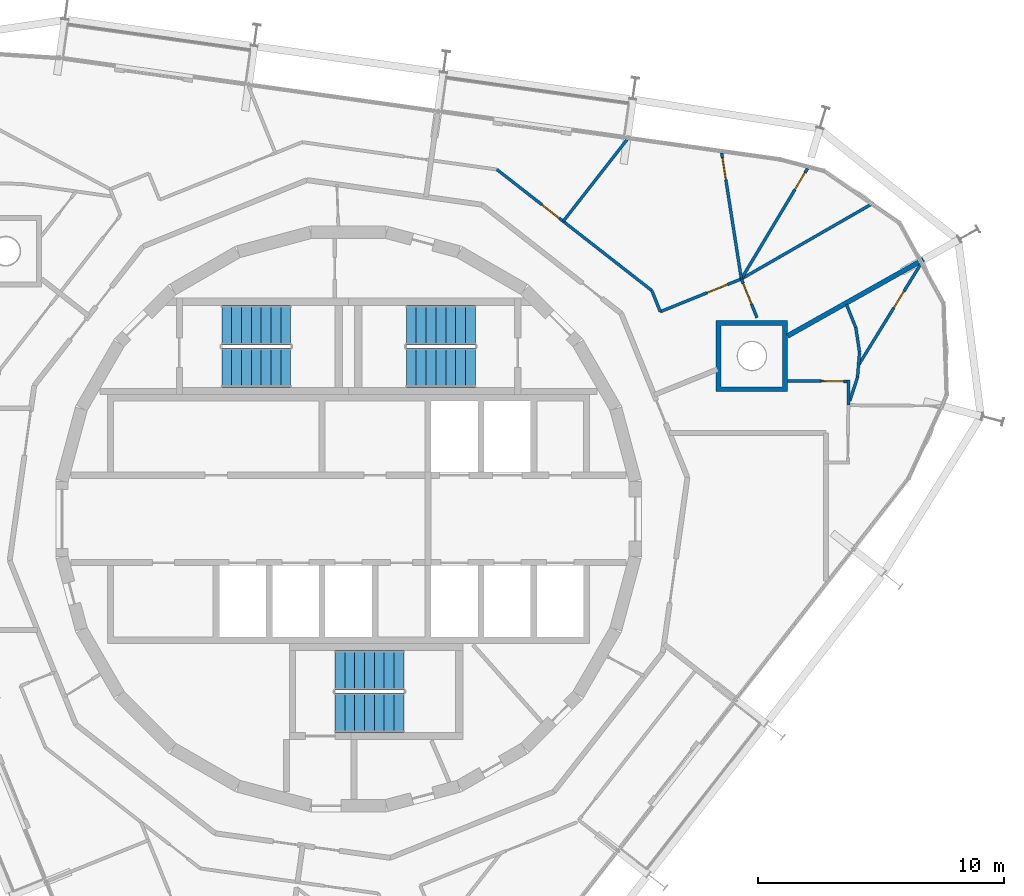
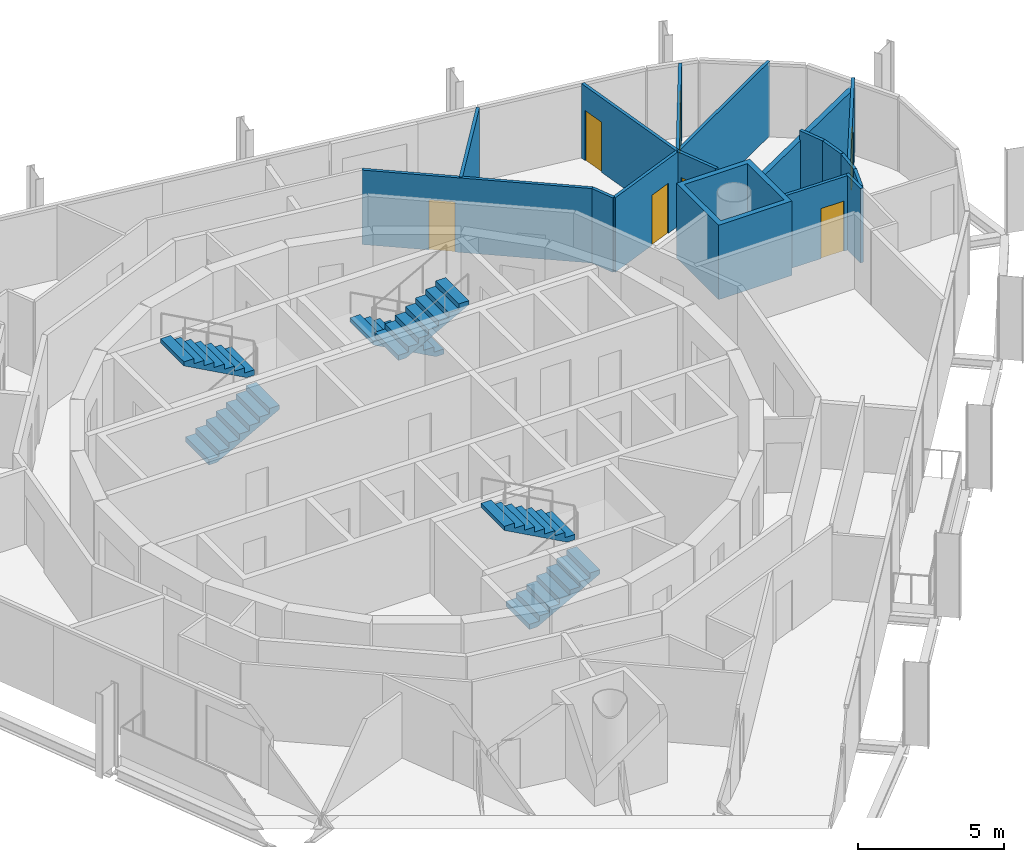
# One storey, part 14 of 15: 17 walls, 7 doors, 6 stair flights, 7 openings, 3 elements without a shape of their own.
"""IFC4 building model written with IfcOpenShell, lengths in metres."""

from ifc_helpers import new_model, si_unit, direction, frame, frame_2d, origin, place, context, subcontext, project, spatial, polyline, rectangle, outline, extrude, material, layer, layer_set, type_object, element, fill, aggregate, save


model = new_model("IFC4")

# Units and contexts
model_context = context("Model", 3, precision=1e-05, world=origin(), true_north=direction((0.0, 1.0)))
body_context = subcontext(model_context, "Body", "Model", "MODEL_VIEW")
ifc_project = project(units=[si_unit("LENGTHUNIT", "METRE"), si_unit("AREAUNIT", "SQUARE_METRE"), si_unit("VOLUMEUNIT", "CUBIC_METRE"), si_unit("PLANEANGLEUNIT", "RADIAN"), si_unit("MASSUNIT", "GRAM", prefix="KILO")], contexts=[model_context])

# Site, building, storey
site_placement = place(None, origin())
site = spatial("IfcSite", under=ifc_project, at=site_placement, CompositionType="ELEMENT")
building_placement = place(site_placement, origin())
building = spatial("IfcBuilding", under=site, at=building_placement, Name="Spindle Arch Residences", CompositionType="ELEMENT")
storey_placement = place(building_placement, frame((0.0, 0.0, 350.5)))
storey = spatial("IfcBuildingStorey", under=building, at=storey_placement, Name="L90", CompositionType="ELEMENT", Elevation=350.5)

# Wall
ifc_material_1 = material(Name="Plasterboard on steel studs", Category="steel")
ifc_layer_1 = layer(ifc_material_1, 0.1201171875)
ifc_layer_set_1 = layer_set([ifc_layer_1], Name="Flat partition 120")
wall_type_1 = type_object("IfcWallType", Name="Flat partition 120", PredefinedType="PARTITIONING", material=ifc_layer_set_1)
wall_1_placement = place(storey_placement, frame((20.30615234375, 4.638671875, 0.0), z_axis=(0.0, 0.0, 1.0), x_axis=(0.008906724211, 0.999960334345, 0.0)))
element("IfcWall", 1, at=wall_1_placement, inside=storey, type_object=wall_type_1, Name="Flat partition R9B1-W032", PredefinedType="PARTITIONING", context=body_context, shape_type="SweptSolid", body=[
    extrude(rectangle(XDim=1.01416015625, YDim=0.1201171875, at=frame_2d((0.507080078125, 0.0))), origin(), (0.0, 0.0, 1.0), 3.1201171875),
])

# Wall, opening, door
wall_2_placement = place(storey_placement, frame((20.314697265625, 5.593017578125, 0.0), z_axis=(0.0, 0.0, 1.0), x_axis=(-0.999960597409, 0.008877140833, 0.0)))
wall_2 = element("IfcWall", 2, at=wall_2_placement, inside=storey, type_object=wall_type_1, Name="Flat partition R9B1-W033", PredefinedType="PARTITIONING", context=body_context, shape_type="SweptSolid", body=[
    extrude(rectangle(XDim=2.47509765625, YDim=0.1201171875, at=frame_2d((1.237548828125, 0.0))), origin(), (0.0, 0.0, 1.0), 3.1201171875),
])
opening_1_placement = place(wall_2_placement, frame((0.199951171875, 0.0, 0.0)))
opening_1 = element("IfcOpeningElement", 3, at=opening_1_placement, cuts=wall_2, Name="Opening R9B1-ID02", PredefinedType="OPENING", context=body_context, shape_type="SweptSolid", body=[
    extrude(rectangle(XDim=0.89990234375, YDim=2.10009765625, at=frame_2d((0.449951171875, 1.050048828125))), frame((0.0, 0.070068359375, 0.0), z_axis=(0.0, -1.0, 0.0), x_axis=(1.0, 0.0, 0.0)), (0.0, 0.0, 1.0), 0.14013671875),
])
ifc_material_2 = material(Name="Timber door set", Category="wood")
door_type_1 = type_object("IfcDoorType", Name="Room door 900x2100", OperationType="NOTDEFINED", PredefinedType="DOOR", material=ifc_material_2)
door_1_placement = place(opening_1_placement, origin())
door_1 = element("IfcDoor", 4, at=door_1_placement, inside=storey, type_object=door_type_1, Name="Room door R9B1-ID02", OperationType="SINGLE_SWING_RIGHT", OverallHeight=2.10009765625, OverallWidth=0.89990234375, PredefinedType="DOOR", context=body_context, shape_type="SweptSolid", body=[
    extrude(rectangle(XDim=0.89990234375, YDim=2.10009765625, at=frame_2d((0.449951171875, 1.050048828125))), frame((0.0, 0.02490234375, 0.0), z_axis=(0.0, -1.0, 0.0), x_axis=(1.0, 0.0, 0.0)), (0.0, 0.0, 1.0), 0.050048828125),
])
fill(opening_1, door_1)

# Walls
wall_3_placement = place(storey_placement, frame((20.762451171875, 6.774658203125, 0.0), z_axis=(0.0, 0.0, 1.0), x_axis=(-0.08121587, -0.996696534789, 0.0)))
element("IfcWall", 5, at=wall_3_placement, inside=storey, type_object=wall_type_1, Name="Flat partition R9B1-W035", PredefinedType="PARTITIONING", context=body_context, shape_type="SweptSolid", body=[
    extrude(rectangle(XDim=1.01611328125, YDim=0.1201171875, at=frame_2d((0.508056640625, 0.0))), origin(), (0.0, 0.0, 1.0), 3.1201171875),
])
wall_4_placement = place(storey_placement, frame((20.679931640625, 5.761962890625, 0.0), z_axis=(0.0, 0.0, 1.0), x_axis=(-0.30908063779, -0.951035834942, 0.0)))
element("IfcWall", 6, at=wall_4_placement, inside=storey, type_object=wall_type_1, Name="Flat partition R9B1-W036", PredefinedType="PARTITIONING", context=body_context, shape_type="SweptSolid", body=[
    extrude(rectangle(XDim=1.015869140625, YDim=0.1201171875, at=frame_2d((0.5078125, 0.0))), origin(), (0.0, 0.0, 1.0), 3.1201171875),
])

# Wall, opening, door
wall_5_placement = place(storey_placement, frame((23.357421875, 10.532470703125, 0.0), z_axis=(0.0, 0.0, 1.0), x_axis=(-0.524476563806, -0.851424884542, 0.0)))
wall_5 = element("IfcWall", 7, at=wall_5_placement, inside=storey, type_object=wall_type_1, Name="Flat partition R9B1-W037", PredefinedType="PARTITIONING", context=body_context, shape_type="SweptSolid", body=[
    extrude(rectangle(XDim=5.029296875, YDim=0.1201171875, at=frame_2d((2.5146484375, 0.0))), origin(), (0.0, 0.0, 1.0), 3.1201171875),
])
opening_2_placement = place(wall_5_placement, frame((1.5, 0.0, 0.0)))
opening_2 = element("IfcOpeningElement", 8, at=opening_2_placement, cuts=wall_5, Name="Opening R9B1-BD01", PredefinedType="OPENING", context=body_context, shape_type="SweptSolid", body=[
    extrude(rectangle(XDim=0.800048828125, YDim=2.10009765625, at=frame_2d((0.39990234375, 1.050048828125))), frame((0.0, 0.070068359375, 0.0), z_axis=(0.0, -1.0, 0.0), x_axis=(1.0, 0.0, 0.0)), (0.0, 0.0, 1.0), 0.14013671875),
])
ifc_material_3 = material(Name="Timber door set", Category="wood")
door_type_2 = type_object("IfcDoorType", Name="Bathroom door 800x2100", OperationType="NOTDEFINED", PredefinedType="DOOR", material=ifc_material_3)
door_2_placement = place(opening_2_placement, origin())
door_2 = element("IfcDoor", 9, at=door_2_placement, inside=storey, type_object=door_type_2, Name="Bathroom door R9B1-BD01", OperationType="SINGLE_SWING_RIGHT", OverallHeight=2.10009765625, OverallWidth=0.800048828125, PredefinedType="DOOR", context=body_context, shape_type="SweptSolid", body=[
    extrude(rectangle(XDim=0.800048828125, YDim=2.10009765625, at=frame_2d((0.39990234375, 1.050048828125))), frame((0.0, 0.02490234375, 0.0), z_axis=(0.0, -1.0, 0.0), x_axis=(1.0, 0.0, 0.0)), (0.0, 0.0, 1.0), 0.050048828125),
])
fill(opening_2, door_2)

# Walls
wall_6_placement = place(storey_placement, frame((20.762451171875, 6.774658203125, 0.0), z_axis=(0.0, 0.0, 1.0), x_axis=(-0.150702440861, 0.988579169474, 0.0)))
element("IfcWall", 10, at=wall_6_placement, inside=storey, type_object=wall_type_1, Name="Flat partition R9B1-W038", PredefinedType="PARTITIONING", context=body_context, shape_type="SweptSolid", body=[
    extrude(rectangle(XDim=1.015869140625, YDim=0.1201171875, at=frame_2d((0.5078125, 0.0))), origin(), (0.0, 0.0, 1.0), 3.1201171875),
])
wall_7_placement = place(storey_placement, frame((20.609375, 7.77880859375, 0.0), z_axis=(0.0, 0.0, 1.0), x_axis=(-0.374371668856, 0.927278735633, 0.0)))
element("IfcWall", 11, at=wall_7_placement, inside=storey, type_object=wall_type_1, Name="Flat partition R9B1-W039", PredefinedType="PARTITIONING", context=body_context, shape_type="SweptSolid", body=[
    extrude(rectangle(XDim=1.01611328125, YDim=0.1201171875, at=frame_2d((0.508056640625, 0.0))), origin(), (0.0, 0.0, 1.0), 3.1201171875),
])

# Wall, opening, door
wall_8_placement = place(storey_placement, frame((16.59716796875, 8.177001953125, 0.0), z_axis=(0.0, 0.0, 1.0), x_axis=(-0.374631609957, 0.927173746835, 0.0)))
wall_8 = element("IfcWall", 12, at=wall_8_placement, inside=storey, type_object=wall_type_1, Name="Flat partition R9B1-W040", PredefinedType="PARTITIONING", context=body_context, shape_type="SweptSolid", body=[
    extrude(rectangle(XDim=1.7001953125, YDim=0.1201171875, at=frame_2d((0.85009765625, 0.0))), origin(), (0.0, 0.0, 1.0), 3.1201171875),
])
opening_3_placement = place(wall_8_placement, frame((0.60009765625, 0.0, 0.0)))
opening_3 = element("IfcOpeningElement", 13, at=opening_3_placement, cuts=wall_8, Name="Opening R9B1-ID04", PredefinedType="OPENING", context=body_context, shape_type="SweptSolid", body=[
    extrude(rectangle(XDim=0.89990234375, YDim=2.10009765625, at=frame_2d((0.449951171875, 1.050048828125))), frame((0.0, 0.070068359375, 0.0), z_axis=(0.0, -1.0, 0.0), x_axis=(1.0, 0.0, 0.0)), (0.0, 0.0, 1.0), 0.14013671875),
])
door_3_placement = place(opening_3_placement, origin())
door_3 = element("IfcDoor", 14, at=door_3_placement, inside=storey, type_object=door_type_1, Name="Room door R9B1-ID04", OperationType="SINGLE_SWING_LEFT", OverallHeight=2.10009765625, OverallWidth=0.89990234375, PredefinedType="DOOR", context=body_context, shape_type="SweptSolid", body=[
    extrude(rectangle(XDim=0.89990234375, YDim=2.10009765625, at=frame_2d((0.449951171875, 1.050048828125))), frame((0.0, 0.02490234375, 0.0), z_axis=(0.0, -1.0, 0.0), x_axis=(1.0, 0.0, 0.0)), (0.0, 0.0, 1.0), 0.050048828125),
])
fill(opening_3, door_3)

wall_9_placement = place(storey_placement, frame((15.960205078125, 9.75341796875, 0.0), z_axis=(0.0, 0.0, 1.0), x_axis=(-0.927148174805, -0.37469489182, 0.0)))
wall_9 = element("IfcWall", 15, at=wall_9_placement, inside=storey, type_object=wall_type_1, Name="Flat partition R9B1-W041", PredefinedType="PARTITIONING", context=body_context, shape_type="SweptSolid", body=[
    extrude(rectangle(XDim=3.5517578125, YDim=0.1201171875, at=frame_2d((1.77587890625, 0.0))), origin(), (0.0, 0.0, 1.0), 3.1201171875),
])
opening_4_placement = place(wall_9_placement, frame((0.60009765625, 0.0, 0.0)))
opening_4 = element("IfcOpeningElement", 16, at=opening_4_placement, cuts=wall_9, Name="Opening R9B1-ID05", PredefinedType="OPENING", context=body_context, shape_type="SweptSolid", body=[
    extrude(rectangle(XDim=0.89990234375, YDim=2.10009765625, at=frame_2d((0.449951171875, 1.050048828125))), frame((0.0, 0.070068359375, 0.0), z_axis=(0.0, -1.0, 0.0), x_axis=(1.0, 0.0, 0.0)), (0.0, 0.0, 1.0), 0.14013671875),
])
door_4_placement = place(opening_4_placement, origin())
door_4 = element("IfcDoor", 17, at=door_4_placement, inside=storey, type_object=door_type_1, Name="Room door R9B1-ID05", OperationType="SINGLE_SWING_RIGHT", OverallHeight=2.10009765625, OverallWidth=0.89990234375, PredefinedType="DOOR", context=body_context, shape_type="SweptSolid", body=[
    extrude(rectangle(XDim=0.89990234375, YDim=2.10009765625, at=frame_2d((0.449951171875, 1.050048828125))), frame((0.0, 0.02490234375, 0.0), z_axis=(0.0, -1.0, 0.0), x_axis=(1.0, 0.0, 0.0)), (0.0, 0.0, 1.0), 0.050048828125),
])
fill(opening_4, door_4)

# Wall
wall_10_placement = place(storey_placement, frame((12.667236328125, 8.422607421875, 0.0), z_axis=(0.0, 0.0, 1.0), x_axis=(-0.374697807675, 0.927146996395, 0.0)))
element("IfcWall", 18, at=wall_10_placement, inside=storey, type_object=wall_type_1, Name="Flat partition R9B1-W042", PredefinedType="PARTITIONING", context=body_context, shape_type="SweptSolid", body=[
    extrude(rectangle(XDim=0.928466796875, YDim=0.1201171875, at=frame_2d((0.46435546875, 0.0))), origin(), (0.0, 0.0, 1.0), 3.1201171875),
])

# Wall, opening, door
wall_11_placement = place(storey_placement, frame((12.3193359375, 9.283447265625, 0.0), z_axis=(0.0, 0.0, 1.0), x_axis=(-0.788000268464, 0.61567489546, 0.0)))
wall_11 = element("IfcWall", 19, at=wall_11_placement, inside=storey, type_object=wall_type_1, Name="Flat partition R9B1-W043", PredefinedType="PARTITIONING", context=body_context, shape_type="SweptSolid", body=[
    extrude(rectangle(XDim=7.98486328125, YDim=0.1201171875, at=frame_2d((3.992431640625, 0.0))), origin(), (0.0, 0.0, 1.0), 3.1201171875),
])
opening_5_placement = place(wall_11_placement, frame((4.765380859375, 0.0, 0.0)))
opening_5 = element("IfcOpeningElement", 20, at=opening_5_placement, cuts=wall_11, Name="Opening R9B1-ID06", PredefinedType="OPENING", context=body_context, shape_type="SweptSolid", body=[
    extrude(rectangle(XDim=0.89990234375, YDim=2.10009765625, at=frame_2d((0.449951171875, 1.050048828125))), frame((0.0, 0.070068359375, 0.0), z_axis=(0.0, -1.0, 0.0), x_axis=(1.0, 0.0, 0.0)), (0.0, 0.0, 1.0), 0.14013671875),
])
door_5_placement = place(opening_5_placement, origin())
door_5 = element("IfcDoor", 21, at=door_5_placement, inside=storey, type_object=door_type_1, Name="Room door R9B1-ID06", OperationType="SINGLE_SWING_LEFT", OverallHeight=2.10009765625, OverallWidth=0.89990234375, PredefinedType="DOOR", context=body_context, shape_type="SweptSolid", body=[
    extrude(rectangle(XDim=0.89990234375, YDim=2.10009765625, at=frame_2d((0.449951171875, 1.050048828125))), frame((0.0, 0.02490234375, 0.0), z_axis=(0.0, -1.0, 0.0), x_axis=(1.0, 0.0, 0.0)), (0.0, 0.0, 1.0), 0.050048828125),
])
fill(opening_5, door_5)

# Wall
wall_12_placement = place(storey_placement, frame((21.3427734375, 12.847412109375, 0.0), z_axis=(0.0, 0.0, 1.0), x_axis=(-0.866974691568, -0.498352168832, 0.0)))
element("IfcWall", 22, at=wall_12_placement, inside=storey, type_object=wall_type_1, Name="Flat partition R9B1-W045", PredefinedType="PARTITIONING", context=body_context, shape_type="SweptSolid", body=[
    extrude(rectangle(XDim=6.20849609375, YDim=0.1201171875, at=frame_2d((3.104248046875, 0.0))), origin(), (0.0, 0.0, 1.0), 3.1201171875),
])

# Wall, opening, door
wall_13_placement = place(storey_placement, frame((18.6494140625, 14.243896484375, 0.0), z_axis=(0.0, 0.0, 1.0), x_axis=(-0.513782200586, -0.85792065505, 0.0)))
wall_13 = element("IfcWall", 23, at=wall_13_placement, inside=storey, type_object=wall_type_1, Name="Flat partition R9B1-W046", PredefinedType="PARTITIONING", context=body_context, shape_type="SweptSolid", body=[
    extrude(rectangle(XDim=5.234130859375, YDim=0.1201171875, at=frame_2d((2.6171875, 0.0))), origin(), (0.0, 0.0, 1.0), 3.1201171875),
])
opening_6_placement = place(wall_13_placement, frame((0.199951171875, 0.0, 0.0)))
opening_6 = element("IfcOpeningElement", 24, at=opening_6_placement, cuts=wall_13, Name="Opening R9B1-BD02", PredefinedType="OPENING", context=body_context, shape_type="SweptSolid", body=[
    extrude(rectangle(XDim=0.800048828125, YDim=2.10009765625, at=frame_2d((0.39990234375, 1.050048828125))), frame((0.0, 0.070068359375, 0.0), z_axis=(0.0, -1.0, 0.0), x_axis=(1.0, 0.0, 0.0)), (0.0, 0.0, 1.0), 0.14013671875),
])
door_6_placement = place(opening_6_placement, origin())
door_6 = element("IfcDoor", 25, at=door_6_placement, inside=storey, type_object=door_type_2, Name="Bathroom door R9B1-BD02", OperationType="SINGLE_SWING_LEFT", OverallHeight=2.10009765625, OverallWidth=0.800048828125, PredefinedType="DOOR", context=body_context, shape_type="SweptSolid", body=[
    extrude(rectangle(XDim=0.800048828125, YDim=2.10009765625, at=frame_2d((0.39990234375, 1.050048828125))), frame((0.0, 0.02490234375, 0.0), z_axis=(0.0, -1.0, 0.0), x_axis=(1.0, 0.0, 0.0)), (0.0, 0.0, 1.0), 0.050048828125),
])
fill(opening_6, door_6)

wall_14_placement = place(storey_placement, frame((15.16015625, 14.873291015625, 0.0), z_axis=(0.0, 0.0, 1.0), x_axis=(0.154389815045, -0.988010012606, 0.0)))
wall_14 = element("IfcWall", 26, at=wall_14_placement, inside=storey, type_object=wall_type_1, Name="Flat partition R9B1-W047", PredefinedType="PARTITIONING", context=body_context, shape_type="SweptSolid", body=[
    extrude(rectangle(XDim=5.181884765625, YDim=0.1201171875, at=frame_2d((2.5908203125, 0.0))), origin(), (0.0, 0.0, 1.0), 3.1201171875),
])
opening_7_placement = place(wall_14_placement, frame((0.199951171875, 0.0, 0.0)))
opening_7 = element("IfcOpeningElement", 27, at=opening_7_placement, cuts=wall_14, Name="Opening R9B1-ID07", PredefinedType="OPENING", context=body_context, shape_type="SweptSolid", body=[
    extrude(rectangle(XDim=0.89990234375, YDim=2.10009765625, at=frame_2d((0.449951171875, 1.050048828125))), frame((0.0, 0.070068359375, 0.0), z_axis=(0.0, -1.0, 0.0), x_axis=(1.0, 0.0, 0.0)), (0.0, 0.0, 1.0), 0.14013671875),
])
door_7_placement = place(opening_7_placement, origin())
door_7 = element("IfcDoor", 28, at=door_7_placement, inside=storey, type_object=door_type_1, Name="Room door R9B1-ID07", OperationType="SINGLE_SWING_LEFT", OverallHeight=2.10009765625, OverallWidth=0.89990234375, PredefinedType="DOOR", context=body_context, shape_type="SweptSolid", body=[
    extrude(rectangle(XDim=0.89990234375, YDim=2.10009765625, at=frame_2d((0.449951171875, 1.050048828125))), frame((0.0, 0.02490234375, 0.0), z_axis=(0.0, -1.0, 0.0), x_axis=(1.0, 0.0, 0.0)), (0.0, 0.0, 1.0), 0.050048828125),
])
fill(opening_7, door_7)

# Walls
wall_15_placement = place(storey_placement, frame((11.315185546875, 15.413818359375, 0.0), z_axis=(0.0, 0.0, 1.0), x_axis=(-0.615656413137, -0.788014708596, 0.0)))
element("IfcWall", 29, at=wall_15_placement, inside=storey, type_object=wall_type_1, Name="Flat partition R9B1-W048", PredefinedType="PARTITIONING", context=body_context, shape_type="SweptSolid", body=[
    extrude(rectangle(XDim=4.212646484375, YDim=0.1201171875, at=frame_2d((2.1064453125, 0.0))), origin(), (0.0, 0.0, 1.0), 3.1201171875),
])
ifc_material_4 = material(Name="Calcium silicate block, plastered")
ifc_layer_2 = layer(ifc_material_4, 0.199951171875)
ifc_layer_set_2 = layer_set([ifc_layer_2], Name="Flat party wall 200 under beam 2730")
wall_type_2 = type_object("IfcWallType", Name="Flat party wall 200 under beam 2730", PredefinedType="STANDARD", material=ifc_layer_set_2)
wall_16_placement = place(storey_placement, frame((23.354248046875, 10.536865234375, 0.0), z_axis=(0.0, 0.0, 1.0), x_axis=(-0.871719790551, -0.490004700754, 0.0)))
element("IfcWall", 30, at=wall_16_placement, inside=storey, type_object=wall_type_2, Name="Flat party wall R9B1-W023", PredefinedType="STANDARD", context=body_context, shape_type="SweptSolid", body=[
    extrude(rectangle(XDim=6.326171875, YDim=0.199951171875, at=frame_2d((3.1630859375, 0.0))), origin(), (0.0, 0.0, 1.0), 2.72998046875),
])
ifc_material_5 = material(Name="Calcium silicate block, plastered")
ifc_layer_3 = layer(ifc_material_5, 0.199951171875)
ifc_layer_set_3 = layer_set([ifc_layer_3], Name="Mega-column casing wall 200")
wall_type_3 = type_object("IfcWallType", Name="Mega-column casing wall 200", PredefinedType="STANDARD", material=ifc_layer_set_3)
wall_17_placement = place(storey_placement, origin())
element("IfcWall", 31, at=wall_17_placement, inside=storey, type_object=wall_type_3, Name="Mega-column casing wall R9B1-WC01", PredefinedType="STANDARD", context=body_context, shape_type="SweptSolid", body=[
    extrude(outline(polyline([(17.839599609375, 8.072021484375), (17.839599609375, 5.171875), (14.939697265625, 5.171875), (14.939697265625, 8.072021484375), (17.839599609375, 8.072021484375)]), holes=[polyline([(15.1396484375, 5.371826171875), (17.6396484375, 5.371826171875), (17.6396484375, 7.871826171875), (15.1396484375, 7.871826171875), (15.1396484375, 5.371826171875)])]), origin(), (0.0, 0.0, 1.0), 3.1201171875),
])

# Stair, stair flights
ifc_material_6 = material(Name="Concrete C50/60", Category="concrete")
stair_type = type_object("IfcStairType", Name="Exit stair 16 risers", PredefinedType="HALF_TURN_STAIR", material=ifc_material_6)
stair_1_placement = place(storey_placement, origin())
stair_1 = element("IfcStair", 32, at=stair_1_placement, inside=storey, type_object=stair_type, Name="L90 Exit stair ST1", PredefinedType="HALF_TURN_STAIR")
ifc_material_7 = material(Name="Concrete C50/60", Category="concrete")
stair_flight_type = type_object("IfcStairFlightType", Name="Exit stair flight", PredefinedType="STRAIGHT", material=ifc_material_7)
stair_flight_1_placement = place(storey_placement, frame((5.14990234375, 7.8701171875, 0.0), z_axis=(0.0, 0.0, 1.0), x_axis=(-1.0, 0.0, 0.0)))
stair_flight_1 = element("IfcStairFlight", 33, at=stair_flight_1_placement, type_object=stair_flight_type, Name="ST1 flight 1", NumberOfRisers=8, NumberOfTreads=7, PredefinedType="STRAIGHT", RiserHeight=0.21875, TreadLength=0.4, context=body_context, shape_type="SweptSolid", body=[
    extrude(outline(polyline([(0.0, 0.0), (0.0, 0.21875), (0.39990234375, 0.21875), (0.39990234375, 0.4375), (0.800048828125, 0.4375), (0.800048828125, 0.65625), (1.199951171875, 0.65625), (1.199951171875, 0.875), (1.60009765625, 0.875), (1.60009765625, 1.09375), (2.0, 1.09375), (2.0, 1.3125), (2.39990234375, 1.3125), (2.39990234375, 1.53125), (2.800048828125, 1.53125), (2.800048828125, 1.75), (2.800048828125, 1.3603515625), (0.3125, 0.0), (0.0, 0.0)])), frame((0.0, 0.800048828125, 0.0), z_axis=(0.0, -1.0, 0.0), x_axis=(1.0, 0.0, 0.0)), (0.0, 0.0, 1.0), 1.60009765625),
])
stair_flight_2_placement = place(storey_placement, frame((2.35009765625, 6.14990234375, 1.75), z_axis=(0.0, 0.0, 1.0), x_axis=(1.0, 0.0, 0.0)))
stair_flight_2 = element("IfcStairFlight", 34, at=stair_flight_2_placement, type_object=stair_flight_type, Name="ST1 flight 2", NumberOfRisers=8, NumberOfTreads=7, PredefinedType="STRAIGHT", RiserHeight=0.21875, TreadLength=0.4, context=body_context, shape_type="SweptSolid", body=[
    extrude(outline(polyline([(0.0, 0.0), (0.0, 0.21875), (0.39990234375, 0.21875), (0.39990234375, 0.4375), (0.800048828125, 0.4375), (0.800048828125, 0.65625), (1.199951171875, 0.65625), (1.199951171875, 0.875), (1.60009765625, 0.875), (1.60009765625, 1.09375), (2.0, 1.09375), (2.0, 1.3125), (2.39990234375, 1.3125), (2.39990234375, 1.53125), (2.800048828125, 1.53125), (2.800048828125, 1.75), (2.800048828125, 1.3603515625), (0.3125, 0.0), (0.0, 0.0)])), frame((0.0, 0.800048828125, 0.0), z_axis=(0.0, -1.0, 0.0), x_axis=(1.0, 0.0, 0.0)), (0.0, 0.0, 1.0), 1.60009765625),
])
aggregate(stair_1, [stair_flight_1, stair_flight_2])

stair_2_placement = place(storey_placement, origin())
stair_2 = element("IfcStair", 35, at=stair_2_placement, inside=storey, type_object=stair_type, Name="L90 Exit stair ST2", PredefinedType="HALF_TURN_STAIR")
stair_flight_3_placement = place(storey_placement, frame((-5.14990234375, 6.14990234375, 0.0), z_axis=(0.0, 0.0, 1.0), x_axis=(1.0, 0.0, 0.0)))
stair_flight_3 = element("IfcStairFlight", 36, at=stair_flight_3_placement, type_object=stair_flight_type, Name="ST2 flight 1", NumberOfRisers=8, NumberOfTreads=7, PredefinedType="STRAIGHT", RiserHeight=0.21875, TreadLength=0.4, context=body_context, shape_type="SweptSolid", body=[
    extrude(outline(polyline([(0.0, 0.0), (0.0, 0.21875), (0.39990234375, 0.21875), (0.39990234375, 0.4375), (0.800048828125, 0.4375), (0.800048828125, 0.65625), (1.199951171875, 0.65625), (1.199951171875, 0.875), (1.60009765625, 0.875), (1.60009765625, 1.09375), (2.0, 1.09375), (2.0, 1.3125), (2.39990234375, 1.3125), (2.39990234375, 1.53125), (2.800048828125, 1.53125), (2.800048828125, 1.75), (2.800048828125, 1.3603515625), (0.3125, 0.0), (0.0, 0.0)])), frame((0.0, 0.800048828125, 0.0), z_axis=(0.0, -1.0, 0.0), x_axis=(1.0, 0.0, 0.0)), (0.0, 0.0, 1.0), 1.60009765625),
])
stair_flight_4_placement = place(storey_placement, frame((-2.35009765625, 7.8701171875, 1.75), z_axis=(0.0, 0.0, 1.0), x_axis=(-1.0, 0.0, 0.0)))
stair_flight_4 = element("IfcStairFlight", 37, at=stair_flight_4_placement, type_object=stair_flight_type, Name="ST2 flight 2", NumberOfRisers=8, NumberOfTreads=7, PredefinedType="STRAIGHT", RiserHeight=0.21875, TreadLength=0.4, context=body_context, shape_type="SweptSolid", body=[
    extrude(outline(polyline([(0.0, 0.0), (0.0, 0.21875), (0.39990234375, 0.21875), (0.39990234375, 0.4375), (0.800048828125, 0.4375), (0.800048828125, 0.65625), (1.199951171875, 0.65625), (1.199951171875, 0.875), (1.60009765625, 0.875), (1.60009765625, 1.09375), (2.0, 1.09375), (2.0, 1.3125), (2.39990234375, 1.3125), (2.39990234375, 1.53125), (2.800048828125, 1.53125), (2.800048828125, 1.75), (2.800048828125, 1.3603515625), (0.3125, 0.0), (0.0, 0.0)])), frame((0.0, 0.800048828125, 0.0), z_axis=(0.0, -1.0, 0.0), x_axis=(1.0, 0.0, 0.0)), (0.0, 0.0, 1.0), 1.60009765625),
])
aggregate(stair_2, [stair_flight_3, stair_flight_4])

stair_3_placement = place(storey_placement, origin())
stair_3 = element("IfcStair", 38, at=stair_3_placement, inside=storey, type_object=stair_type, Name="L90 Exit stair ST3", PredefinedType="HALF_TURN_STAIR")
stair_flight_5_placement = place(storey_placement, frame((-0.550048828125, -7.8701171875, 0.0), z_axis=(0.0, 0.0, 1.0), x_axis=(1.0, 0.0, 0.0)))
stair_flight_5 = element("IfcStairFlight", 39, at=stair_flight_5_placement, type_object=stair_flight_type, Name="ST3 flight 1", NumberOfRisers=8, NumberOfTreads=7, PredefinedType="STRAIGHT", RiserHeight=0.21875, TreadLength=0.4, context=body_context, shape_type="SweptSolid", body=[
    extrude(outline(polyline([(0.0, 0.0), (0.0, 0.21875), (0.39990234375, 0.21875), (0.39990234375, 0.4375), (0.800048828125, 0.4375), (0.800048828125, 0.65625), (1.199951171875, 0.65625), (1.199951171875, 0.875), (1.60009765625, 0.875), (1.60009765625, 1.09375), (2.0, 1.09375), (2.0, 1.3125), (2.39990234375, 1.3125), (2.39990234375, 1.53125), (2.800048828125, 1.53125), (2.800048828125, 1.75), (2.800048828125, 1.3603515625), (0.3125, 0.0), (0.0, 0.0)])), frame((0.0, 0.800048828125, 0.0), z_axis=(0.0, -1.0, 0.0), x_axis=(1.0, 0.0, 0.0)), (0.0, 0.0, 1.0), 1.60009765625),
])
stair_flight_6_placement = place(storey_placement, frame((2.25, -6.14990234375, 1.75), z_axis=(0.0, 0.0, 1.0), x_axis=(-1.0, 0.0, 0.0)))
stair_flight_6 = element("IfcStairFlight", 40, at=stair_flight_6_placement, type_object=stair_flight_type, Name="ST3 flight 2", NumberOfRisers=8, NumberOfTreads=7, PredefinedType="STRAIGHT", RiserHeight=0.21875, TreadLength=0.4, context=body_context, shape_type="SweptSolid", body=[
    extrude(outline(polyline([(0.0, 0.0), (0.0, 0.21875), (0.39990234375, 0.21875), (0.39990234375, 0.4375), (0.800048828125, 0.4375), (0.800048828125, 0.65625), (1.199951171875, 0.65625), (1.199951171875, 0.875), (1.60009765625, 0.875), (1.60009765625, 1.09375), (2.0, 1.09375), (2.0, 1.3125), (2.39990234375, 1.3125), (2.39990234375, 1.53125), (2.800048828125, 1.53125), (2.800048828125, 1.75), (2.800048828125, 1.3603515625), (0.3125, 0.0), (0.0, 0.0)])), frame((0.0, 0.800048828125, 0.0), z_axis=(0.0, -1.0, 0.0), x_axis=(1.0, 0.0, 0.0)), (0.0, 0.0, 1.0), 1.60009765625),
])
aggregate(stair_3, [stair_flight_5, stair_flight_6])

save(model, "model.ifc")
